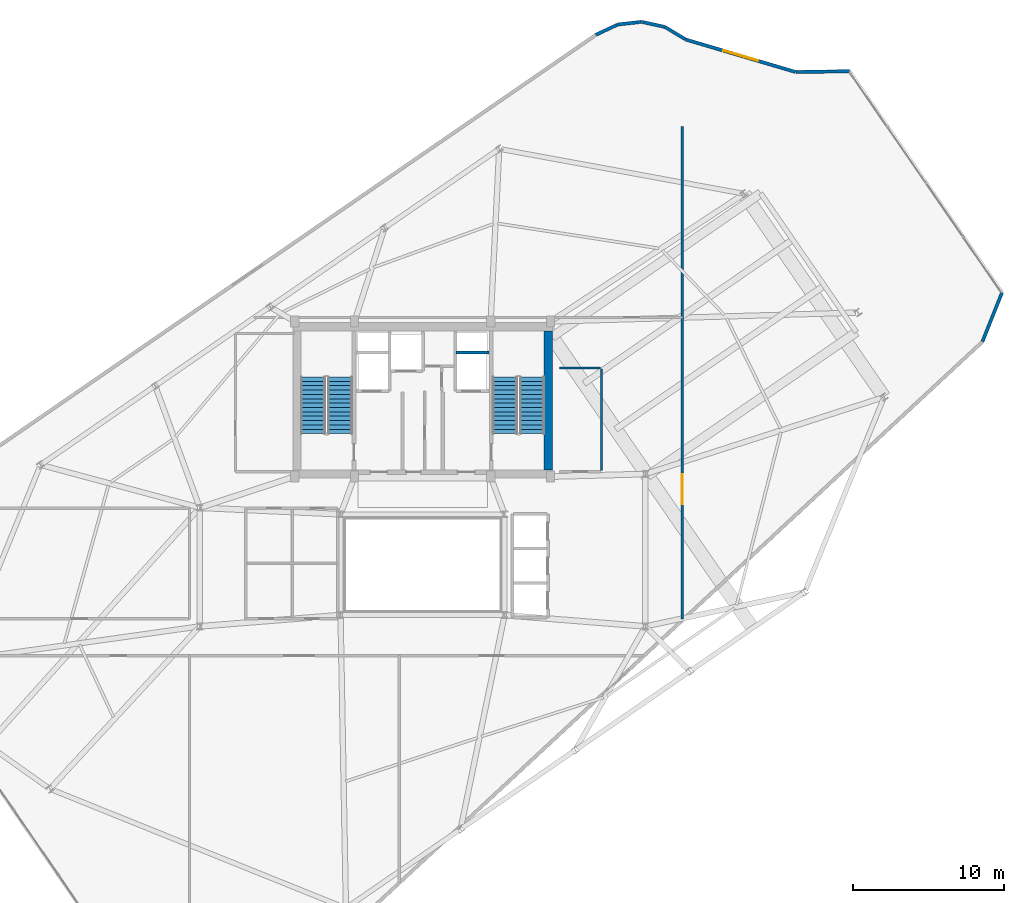
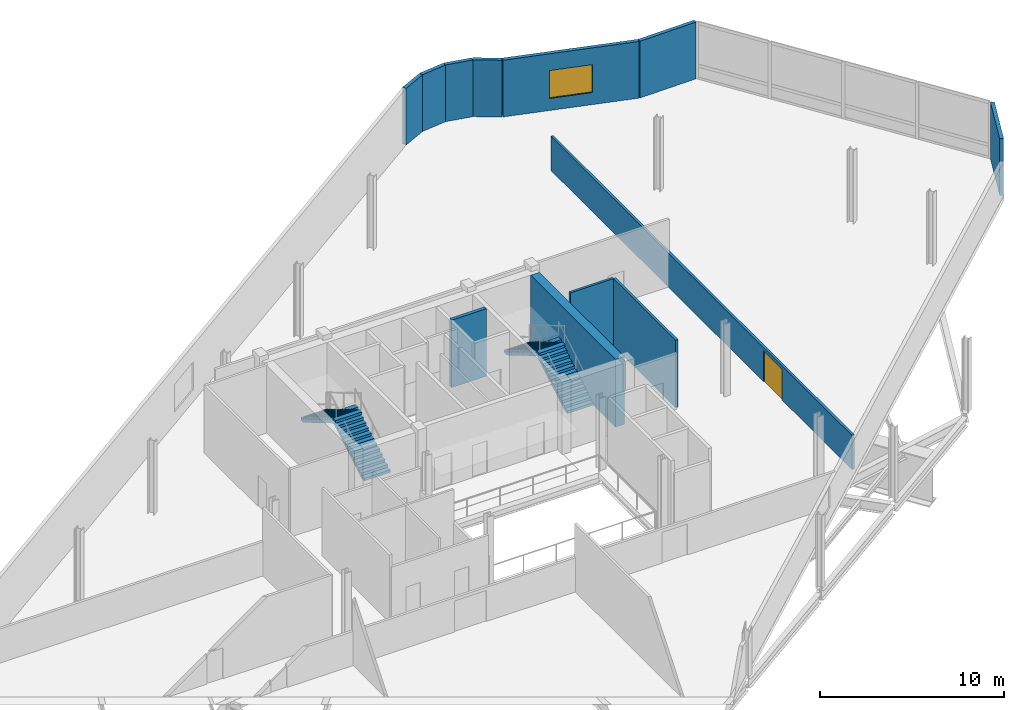
# One storey, part 14 of 15: 12 walls, 4 stair flights, 1 door, 1 window, 2 openings, 2 elements without a shape of their own.
"""IFC4 building model written with IfcOpenShell, lengths in metres."""

import ifcopenshell
import ifcopenshell.guid

model = None  # the IFC model being written
_history = None  # IfcOwnerHistory: only IFC2X3 demands one
_inside = {}  # id of a spatial element -> (the spatial element, [elements in it])
_under = {}  # id of a project, library or spatial element -> (it, [spatial elements below it])
_declared = {}  # id of a project -> (the project, [libraries it declares])
_typed = {}  # id of a type object -> (the type object, [elements of that type])
_made_of = {}  # id of a material, layer set ... -> (it, [elements and type objects made of it])


def new_model(schema):
    """Start an empty IFC model of exactly this schema.

    Asked for "IFC4X3", IfcOpenShell would pick the latest addendum, in which some entities
    have other attributes; the version numbers below select the first issue.
    IFC2X3 requires an IfcOwnerHistory on every rooted entity: one is made here for all.
    """
    global model, _history
    if schema == "IFC4X3":
        model = ifcopenshell.file(schema_version=(4, 3, 0, 0))
    else:
        model = ifcopenshell.file(schema=schema)
    _inside.clear()
    _under.clear()
    _declared.clear()
    _typed.clear()
    _made_of.clear()
    _history = None
    if model.schema == "IFC2X3":
        org = make("IfcOrganization", Name="unknown")
        user = make(
            "IfcPersonAndOrganization",
            ThePerson=make("IfcPerson", FamilyName="unknown"),
            TheOrganization=org,
        )
        app = make(
            "IfcApplication",
            ApplicationDeveloper=org,
            Version="unknown",
            ApplicationFullName="unknown",
            ApplicationIdentifier="unknown",
        )
        _history = make(
            "IfcOwnerHistory",
            OwningUser=user,
            OwningApplication=app,
            ChangeAction="ADDED",
            CreationDate=0,
        )
    return model


def make(cls, **values):
    """One entity of the class cls with the attributes given. An attribute that is None is left unset."""
    return model.create_entity(
        cls, **{name: value for name, value in values.items() if value is not None}
    )


def rooted(cls, **values):
    """An entity with a GlobalId (a new one), such as an element, a storey or a relation."""
    return make(cls, GlobalId=ifcopenshell.guid.new(), OwnerHistory=_history, **values)


def si_unit(unit_type, name, prefix=None):
    """IfcSIUnit, for example si_unit("LENGTHUNIT", "METRE", prefix="MILLI")."""
    return make("IfcSIUnit", UnitType=unit_type, Prefix=prefix, Name=name)


def assignment(units):
    """IfcUnitAssignment: the units of a project."""
    return None if units is None else make("IfcUnitAssignment", Units=units)


def point(xyz):
    """IfcCartesianPoint."""
    return None if xyz is None else make("IfcCartesianPoint", Coordinates=xyz)


def direction(xyz):
    """IfcDirection."""
    return None if xyz is None else make("IfcDirection", DirectionRatios=xyz)


def frame(location, z_axis=None, x_axis=None):
    """IfcAxis2Placement3D, a coordinate frame: its origin and axes. An axis left out is left unset."""
    return make(
        "IfcAxis2Placement3D",
        Location=point(location),
        Axis=direction(z_axis),
        RefDirection=direction(x_axis),
    )


def frame_2d(location, x_axis=None):
    """IfcAxis2Placement2D, a coordinate frame in the plane: its origin and x axis."""
    return make(
        "IfcAxis2Placement2D", Location=point(location), RefDirection=direction(x_axis)
    )


def origin():
    """The frame at (0, 0, 0) with its axes left unset."""
    return frame((0.0, 0.0, 0.0))


def place(relative_to, where):
    """IfcLocalPlacement: puts the frame where relative to a parent placement (None: the world)."""
    return make(
        "IfcLocalPlacement", PlacementRelTo=relative_to, RelativePlacement=where
    )


def context(
    kind, dimensions, precision=None, world=None, true_north=None, identifier=None
):
    """IfcGeometricRepresentationContext, for example the 3D "Model" context."""
    return make(
        "IfcGeometricRepresentationContext",
        ContextIdentifier=identifier,
        ContextType=kind,
        CoordinateSpaceDimension=dimensions,
        Precision=precision,
        WorldCoordinateSystem=world,
        TrueNorth=true_north,
    )


def subcontext(parent, identifier, kind, view, scale=None):
    """IfcGeometricRepresentationSubContext, for example "Body" below "Model"."""
    return make(
        "IfcGeometricRepresentationSubContext",
        ContextIdentifier=identifier,
        ContextType=kind,
        ParentContext=parent,
        TargetScale=scale,
        TargetView=view,
    )


def project(units=None, contexts=None):
    """IfcProject with its units and contexts."""
    return rooted(
        "IfcProject",
        Name="project",
        RepresentationContexts=contexts,
        UnitsInContext=assignment(units),
    )


def spatial(cls, under=None, at=None, **own):
    """A site, building, storey or space (cls), placed at a placement, below another one or the project."""
    s = rooted(cls, ObjectPlacement=at, **own)
    if under is not None:
        _under.setdefault(under.id(), (under, []))[1].append(s)
    return s


def polyline(points):
    """IfcPolyline through the points."""
    return make("IfcPolyline", Points=[point(p) for p in points])


def profile(cls, at=None, kind="AREA", **sizes):
    """A parametric profile (cls). Its sizes go by their IFC names, for example OverallWidth=200.0."""
    return make(cls, ProfileType=kind, Position=at, **sizes)


def rectangle(**sizes):
    """IfcRectangleProfileDef."""
    return profile("IfcRectangleProfileDef", **sizes)


def outline(outer, holes=None, kind="AREA"):
    """IfcArbitraryClosedProfileDef: a profile drawn as a closed curve; with holes, ...WithVoids."""
    if holes is None:
        return make("IfcArbitraryClosedProfileDef", ProfileType=kind, OuterCurve=outer)
    return make(
        "IfcArbitraryProfileDefWithVoids",
        ProfileType=kind,
        OuterCurve=outer,
        InnerCurves=holes,
    )


def extrude(swept, where, along, depth):
    """IfcExtrudedAreaSolid: the profile swept, set in the frame where, extruded along a direction by depth."""
    return make(
        "IfcExtrudedAreaSolid",
        SweptArea=swept,
        Position=where,
        ExtrudedDirection=direction(along),
        Depth=depth,
    )


def shape(context_of_items, identifier, shape_type, items):
    """IfcShapeRepresentation: the items that make up one representation, for example the "Body"."""
    return make(
        "IfcShapeRepresentation",
        ContextOfItems=context_of_items,
        RepresentationIdentifier=identifier,
        RepresentationType=shape_type,
        Items=items,
    )


def material(Name=None, Category=None):
    """IfcMaterial."""
    return make("IfcMaterial", Name=Name, Category=Category)


def layer(
    of_material, thickness, ventilated=None, Name=None, Category=None, Priority=None
):
    """IfcMaterialLayer: one layer of a wall or slab, of a material (None: an air gap)."""
    return make(
        "IfcMaterialLayer",
        Material=of_material,
        LayerThickness=thickness,
        IsVentilated=ventilated,
        Name=Name,
        Category=Category,
        Priority=Priority,
    )


def layer_set(layers, Name=None):
    """IfcMaterialLayerSet."""
    return make("IfcMaterialLayerSet", MaterialLayers=layers, LayerSetName=Name)


def made_of(thing, what):
    """Note that an element or type object is made of a material, layer set ...; save() writes the relation."""
    if what is not None:
        _made_of.setdefault(what.id(), (what, []))[1].append(thing)
    return thing


def type_object(cls, material=None, **own):
    """A type object (cls), such as IfcWallType, which elements share."""
    return made_of(rooted(cls, **own), material)


def element(
    cls,
    number,
    at=None,
    inside=None,
    cuts=None,
    type_object=None,
    material=None,
    context=None,
    identifier="Body",
    shape_type=None,
    held_by="IfcProductDefinitionShape",
    body=None,
    shapes=None,
    **own,
):
    """One element of the class cls, such as IfcWall. Its Tag is "e" and its number.

    at: its placement. inside: the storey or other place that contains it. cuts: it is an
    opening in that element (IfcRelVoidsElement). A single representation is given by context,
    identifier, shape_type and body (its items); several are given by shapes. held_by: the class
    of the entity that holds the representations. save() writes the other relations.
    """
    e = rooted(cls, Tag="e%d" % number, ObjectPlacement=at, **own)
    if body is not None:
        shapes = [shape(context, identifier, shape_type, body)]
    if shapes is not None:
        e.Representation = make(held_by, Representations=shapes)
    if inside is not None:
        _inside.setdefault(inside.id(), (inside, []))[1].append(e)
    if cuts is not None:
        rooted(
            "IfcRelVoidsElement", RelatingBuildingElement=cuts, RelatedOpeningElement=e
        )
    if type_object is not None:
        _typed.setdefault(type_object.id(), (type_object, []))[1].append(e)
    return made_of(e, material)


def fill(opening, filler):
    """IfcRelFillsElement: the door or window that sits in an opening."""
    return rooted(
        "IfcRelFillsElement",
        RelatingOpeningElement=opening,
        RelatedBuildingElement=filler,
    )


def aggregate(whole, parts):
    """IfcRelAggregates: a whole, such as a stair, and the parts it consists of."""
    return rooted("IfcRelAggregates", RelatingObject=whole, RelatedObjects=parts)


def save(model, path):
    """Write the relations noted so far, then the file.

    IfcRelAggregates (storeys below a building ...), IfcRelContainedInSpatialStructure (elements
    in a storey), IfcRelDefinesByType, IfcRelAssociatesMaterial and IfcRelDeclares: one each for
    every whole, place, type object, material and project.
    """
    for whole, parts in _under.values():
        aggregate(whole, parts)
    for where, things in _inside.values():
        rooted(
            "IfcRelContainedInSpatialStructure",
            RelatedElements=things,
            RelatingStructure=where,
        )
    for kind, things in _typed.values():
        rooted("IfcRelDefinesByType", RelatedObjects=things, RelatingType=kind)
    for what, things in _made_of.values():
        rooted("IfcRelAssociatesMaterial", RelatedObjects=things, RelatingMaterial=what)
    for by, libraries in _declared.values():
        rooted("IfcRelDeclares", RelatingContext=by, RelatedDefinitions=libraries)
    model.write(path)


model = new_model("IFC4")

# Units and contexts
model_context = context("Model", 3, precision=1e-05, world=origin(), true_north=direction((0.0, 1.0)))
body_context = subcontext(model_context, "Body", "Model", "MODEL_VIEW")
ifc_project = project(units=[si_unit("LENGTHUNIT", "METRE"), si_unit("AREAUNIT", "SQUARE_METRE"), si_unit("VOLUMEUNIT", "CUBIC_METRE"), si_unit("PLANEANGLEUNIT", "RADIAN"), si_unit("MASSUNIT", "GRAM", prefix="KILO")], contexts=[model_context])

# Site, building, storey
site_placement = place(None, origin())
site = spatial("IfcSite", under=ifc_project, at=site_placement, CompositionType="ELEMENT")
building_placement = place(site_placement, origin())
building = spatial("IfcBuilding", under=site, at=building_placement, Name="Varnelok Gate Tower", CompositionType="ELEMENT")
storey_placement = place(building_placement, frame((0.0, 0.0, 291.5)))
storey = spatial("IfcBuildingStorey", under=building, at=storey_placement, Name="L75", CompositionType="ELEMENT", Elevation=291.5)

# Walls
ifc_material_1 = material(Name="Concrete C45/55", Category="concrete")
ifc_layer_1 = layer(ifc_material_1, 0.219970703125)
ifc_layer_set_1 = layer_set([ifc_layer_1], Name="Concrete C45/55")
wall_type_1 = type_object("IfcWallType", Name="EW-BALC-220", PredefinedType="SOLIDWALL", material=ifc_layer_set_1)
wall_1_placement = place(storey_placement, frame((76.39501953125, 37.719970703125, 0.0), z_axis=(0.0, 0.0, 1.0), x_axis=(0.370546091486, 0.928814079396, 0.0)))
element("IfcWall", 1, at=wall_1_placement, inside=storey, type_object=wall_type_1, Name="L75 Perimeter Facade Closure Wall 8", PredefinedType="SOLIDWALL", context=body_context, shape_type="SweptSolid", body=[
    extrude(rectangle(XDim=3.4892578125, YDim=0.219970703125, at=frame_2d((1.74462890625, 0.0))), origin(), (0.0, 0.0, 1.0), 3.760009765625),
])
wall_2_placement = place(storey_placement, frame((67.550048828125, 55.6787109375, 0.0), z_axis=(0.0, 0.0, 1.0), x_axis=(-0.999884083579, -0.015225616747, 0.0)))
element("IfcWall", 2, at=wall_2_placement, inside=storey, type_object=wall_type_1, Name="L75 Perimeter Facade Closure Wall 9", PredefinedType="SOLIDWALL", context=body_context, shape_type="SweptSolid", body=[
    extrude(rectangle(XDim=3.559814453125, YDim=0.219970703125, at=frame_2d((1.77978515625, 0.0))), origin(), (0.0, 0.0, 1.0), 3.760009765625),
])

# Wall, opening, window
wall_3_placement = place(storey_placement, frame((63.966796875, 55.631591796875, 0.0), z_axis=(0.0, 0.0, 1.0), x_axis=(-0.959041736721, 0.283264800544, 0.0)))
wall_3 = element("IfcWall", 3, at=wall_3_placement, inside=storey, type_object=wall_type_1, Name="L75 Perimeter Facade Closure Wall 10", PredefinedType="SOLIDWALL", context=body_context, shape_type="SweptSolid", body=[
    extrude(rectangle(XDim=7.591552734375, YDim=0.219970703125, at=frame_2d((3.7958984375, 0.0))), origin(), (0.0, 0.0, 1.0), 3.760009765625),
])
opening_1_placement = place(wall_3_placement, frame((2.595703125, 0.0, 0.800048828125)))
opening_1 = element("IfcOpeningElement", 4, at=opening_1_placement, cuts=wall_3, Name="Opening WN6", PredefinedType="OPENING", context=body_context, shape_type="SweptSolid", body=[
    extrude(rectangle(XDim=2.39990234375, YDim=1.85009765625, at=frame_2d((1.199951171875, 0.925048828125))), frame((0.0, 0.119873046875, 0.0), z_axis=(0.0, -1.0, 0.0), x_axis=(1.0, 0.0, 0.0)), (0.0, 0.0, 1.0), 0.239990234375),
])
ifc_material_2 = material(Name="Low-E Laminated Double Glazing IGU", Category="glass")
window_type = type_object("IfcWindowType", Name="WN-PEN-2400", PartitioningType="SINGLE_PANEL", PredefinedType="WINDOW", material=ifc_material_2)
window_placement = place(opening_1_placement, origin())
window = element("IfcWindow", 5, at=window_placement, inside=storey, type_object=window_type, Name="L75 Perimeter Vision Window 10", OverallHeight=1.85009765625, OverallWidth=2.39990234375, PartitioningType="SINGLE_PANEL", PredefinedType="WINDOW", context=body_context, shape_type="SweptSolid", body=[
    extrude(rectangle(XDim=2.39990234375, YDim=1.85009765625, at=frame_2d((1.199951171875, 0.925048828125))), frame((0.0, 0.030029296875, 0.0), z_axis=(0.0, -1.0, 0.0), x_axis=(1.0, 0.0, 0.0)), (0.0, 0.0, 1.0), 0.06005859375),
])
fill(opening_1, window)

# Walls
wall_4_placement = place(storey_placement, frame((56.664794921875, 57.794921875, 0.0), z_axis=(0.0, 0.0, 1.0), x_axis=(-0.856562276783, 0.51604366675, 0.0)))
element("IfcWall", 6, at=wall_4_placement, inside=storey, type_object=wall_type_1, Name="L75 Perimeter Facade Closure Wall 11", PredefinedType="SOLIDWALL", context=body_context, shape_type="SweptSolid", body=[
    extrude(rectangle(XDim=1.599609375, YDim=0.219970703125, at=frame_2d((0.7998046875, 0.0))), origin(), (0.0, 0.0, 1.0), 3.760009765625),
])
wall_5_placement = place(storey_placement, frame((55.270263671875, 58.625732421875, 0.0), z_axis=(0.0, 0.0, 1.0), x_axis=(-0.977002755725, 0.213226675878, 0.0)))
element("IfcWall", 7, at=wall_5_placement, inside=storey, type_object=wall_type_1, Name="L75 Perimeter Facade Closure Wall 12", PredefinedType="SOLIDWALL", context=body_context, shape_type="SweptSolid", body=[
    extrude(rectangle(XDim=1.56396484375, YDim=0.219970703125, at=frame_2d((0.781982421875, 0.0))), origin(), (0.0, 0.0, 1.0), 3.760009765625),
])
wall_6_placement = place(storey_placement, frame((53.71728515625, 58.95654296875, 0.0), z_axis=(0.0, 0.0, 1.0), x_axis=(-0.993703548269, -0.112041323439, 0.0)))
element("IfcWall", 8, at=wall_6_placement, inside=storey, type_object=wall_type_1, Name="L75 Perimeter Facade Closure Wall 13", PredefinedType="SOLIDWALL", context=body_context, shape_type="SweptSolid", body=[
    extrude(rectangle(XDim=1.564453125, YDim=0.219970703125, at=frame_2d((0.7822265625, 0.0))), origin(), (0.0, 0.0, 1.0), 3.760009765625),
])
wall_7_placement = place(storey_placement, frame((52.14013671875, 58.7705078125, 0.0), z_axis=(0.0, 0.0, 1.0), x_axis=(-0.904931141475, -0.425558020944, 0.0)))
element("IfcWall", 9, at=wall_7_placement, inside=storey, type_object=wall_type_1, Name="L75 Perimeter Facade Closure Wall 14", PredefinedType="SOLIDWALL", context=body_context, shape_type="SweptSolid", body=[
    extrude(rectangle(XDim=1.57421875, YDim=0.219970703125, at=frame_2d((0.787109375, 0.0))), origin(), (0.0, 0.0, 1.0), 3.760009765625),
])

# Wall, opening, door
ifc_material_3 = material(Name="Gypsum Plasterboard Acoustic Partition", Category="gypsum")
ifc_layer_2 = layer(ifc_material_3, 0.14990234375)
ifc_layer_set_2 = layer_set([ifc_layer_2], Name="Gypsum Plasterboard Acoustic Partition")
wall_type_2 = type_object("IfcWallType", Name="PW-PART-150", PredefinedType="PARTITIONING", material=ifc_layer_set_2)
wall_8_placement = place(storey_placement, frame((56.449951171875, 19.300048828125, 0.0), z_axis=(0.0, 0.0, 1.0), x_axis=(0.0, 1.0, 0.0)))
wall_8 = element("IfcWall", 10, at=wall_8_placement, inside=storey, type_object=wall_type_2, Name="Interior Partition", PredefinedType="PARTITIONING", context=body_context, shape_type="SweptSolid", body=[
    extrude(rectangle(XDim=32.699951171875, YDim=0.14990234375, at=frame_2d((16.35009765625, 0.0))), origin(), (0.0, 0.0, 1.0), 2.264892578125),
])
opening_2_placement = place(wall_8_placement, frame((7.60009765625, 0.0, 0.0)))
opening_2 = element("IfcOpeningElement", 11, at=opening_2_placement, cuts=wall_8, Name="Opening D-BL", PredefinedType="OPENING", context=body_context, shape_type="SweptSolid", body=[
    extrude(rectangle(XDim=2.0, YDim=2.050048828125, at=frame_2d((1.0, 1.02490234375))), frame((0.0, 0.0849609375, 0.0), z_axis=(0.0, -1.0, 0.0), x_axis=(1.0, 0.0, 0.0)), (0.0, 0.0, 1.0), 0.169921875),
])
ifc_material_4 = material(Name="Engineered Hardwood Timber", Category="wood")
door_type = type_object("IfcDoorType", Name="DR-BALL-2000", OperationType="DOUBLE_DOOR_SINGLE_SWING", PredefinedType="DOOR", material=ifc_material_4)
door_placement = place(opening_2_placement, origin())
door = element("IfcDoor", 12, at=door_placement, inside=storey, type_object=door_type, Name="L75 Cantilevered Sky Lounge Portal", OperationType="DOUBLE_DOOR_SINGLE_SWING", OverallHeight=2.050048828125, OverallWidth=2.0, PredefinedType="DOOR", context=body_context, shape_type="SweptSolid", body=[
    extrude(rectangle(XDim=2.0, YDim=2.050048828125, at=frame_2d((1.0, 1.02490234375))), frame((0.0, 0.02490234375, 0.0), z_axis=(0.0, -1.0, 0.0), x_axis=(1.0, 0.0, 0.0)), (0.0, 0.0, 1.0), 0.050048828125),
])
fill(opening_2, door)

# Walls
wall_9_placement = place(storey_placement, frame((48.300048828125, 35.9599609375, 0.0), z_axis=(0.0, 0.0, 1.0), x_axis=(1.0, 0.0, 0.0)))
element("IfcWall", 13, at=wall_9_placement, inside=storey, type_object=wall_type_2, Name="Interior Partition", PredefinedType="PARTITIONING", context=body_context, shape_type="SweptSolid", body=[
    extrude(rectangle(XDim=2.719970703125, YDim=0.14990234375, at=frame_2d((1.35986328125, 0.0))), origin(), (0.0, 0.0, 1.0), 4.47998046875),
])
wall_10_placement = place(storey_placement, frame((51.080078125, 29.139892578125, 0.0), z_axis=(0.0, 0.0, 1.0), x_axis=(0.0, 1.0, 0.0)))
element("IfcWall", 14, at=wall_10_placement, inside=storey, type_object=wall_type_2, Name="Interior Partition", PredefinedType="PARTITIONING", context=body_context, shape_type="SweptSolid", body=[
    extrude(rectangle(XDim=6.760009765625, YDim=0.14990234375, at=frame_2d((3.3798828125, 0.0))), origin(), (0.0, 0.0, 1.0), 4.47998046875),
])
ifc_material_5 = material(Name="Concrete C35/45", Category="concrete")
ifc_layer_3 = layer(ifc_material_5, 0.199951171875)
ifc_layer_set_3 = layer_set([ifc_layer_3], Name="Concrete C35/45")
wall_type_3 = type_object("IfcWallType", Name="PW-SHAFT-200", PredefinedType="PARTITIONING", material=ifc_layer_set_3)
wall_11_placement = place(storey_placement, frame((41.419921875, 36.97998046875, 0.0), z_axis=(0.0, 0.0, 1.0), x_axis=(1.0, 0.0, 0.0)))
element("IfcWall", 15, at=wall_11_placement, inside=storey, type_object=wall_type_3, Name="L75 FF2 Shaft North Wall", PredefinedType="PARTITIONING", context=body_context, shape_type="SweptSolid", body=[
    extrude(rectangle(XDim=2.18017578125, YDim=0.199951171875, at=frame_2d((1.090087890625, 0.0))), origin(), (0.0, 0.0, 1.0), 4.47998046875),
])
ifc_material_6 = material(Name="Concrete C60/75", Category="concrete")
ifc_layer_4 = layer(ifc_material_6, 0.550048828125)
ifc_layer_set_4 = layer_set([ifc_layer_4], Name="Concrete C60/75")
wall_type_4 = type_object("IfcWallType", Name="SW-CORE-550", PredefinedType="SHEAR", material=ifc_layer_set_4)
wall_12_placement = place(storey_placement, frame((47.544921875, 29.199951171875, 0.0), z_axis=(0.0, 0.0, 1.0), x_axis=(0.0, 1.0, 0.0)))
element("IfcWall", 16, at=wall_12_placement, inside=storey, type_object=wall_type_4, Name="L75 Rear Core East Shear Wall", PredefinedType="SHEAR", context=body_context, shape_type="SweptSolid", body=[
    extrude(rectangle(XDim=9.219970703125, YDim=0.550048828125, at=frame_2d((4.60986328125, 0.0))), origin(), (0.0, 0.0, 1.0), 4.47998046875),
])

# Stair, stair flights
ifc_material_7 = material(Name="Concrete C50/60", Category="concrete")
stair_type = type_object("IfcStairType", Name="STR-CORE-1650", PredefinedType="HALF_TURN_STAIR", material=ifc_material_7)
stair_1_placement = place(storey_placement, origin())
stair_1 = element("IfcStair", 17, at=stair_1_placement, inside=storey, type_object=stair_type, Name="L75 Exit Stair ST-1", PredefinedType="HALF_TURN_STAIR")
stair_flight_type = type_object("IfcStairFlightType", Name="SFL-CORE-1650", PredefinedType="STRAIGHT", material=ifc_material_7)
stair_flight_1_placement = place(storey_placement, frame((33.72509765625, 31.60009765625, 0.0), z_axis=(0.0, 0.0, 1.0), x_axis=(0.0, 1.0, 0.0)))
stair_flight_1 = element("IfcStairFlight", 18, at=stair_flight_1_placement, type_object=stair_flight_type, Name="ST-1 flight 1", NumberOfRisers=14, NumberOfTreads=13, PredefinedType="STRAIGHT", RiserHeight=0.171428571, TreadLength=0.29, context=body_context, shape_type="SweptSolid", body=[
    extrude(outline(polyline([(0.0, 0.0), (0.0, 0.17138671875), (0.2900390625, 0.17138671875), (0.2900390625, 0.3427734375), (0.580078125, 0.3427734375), (0.580078125, 0.514404296875), (0.8701171875, 0.514404296875), (0.8701171875, 0.685791015625), (1.159912109375, 0.685791015625), (1.159912109375, 0.857177734375), (1.449951171875, 0.857177734375), (1.449951171875, 1.028564453125), (1.739990234375, 1.028564453125), (1.739990234375, 1.199951171875), (2.030029296875, 1.199951171875), (2.030029296875, 1.371337890625), (2.320068359375, 1.371337890625), (2.320068359375, 1.54296875), (2.610107421875, 1.54296875), (2.610107421875, 1.71435546875), (2.89990234375, 1.71435546875), (2.89990234375, 1.8857421875), (3.18994140625, 1.8857421875), (3.18994140625, 2.05712890625), (3.47998046875, 2.05712890625), (3.47998046875, 2.228515625), (3.77001953125, 2.228515625), (3.77001953125, 2.39990234375), (3.77001953125, 2.054443359375), (0.294677734375, 0.0), (0.0, 0.0)])), frame((0.0, 0.824951171875, 0.0), z_axis=(0.0, -1.0, 0.0), x_axis=(1.0, 0.0, 0.0)), (0.0, 0.0, 1.0), 1.64990234375),
])
stair_flight_2_placement = place(storey_placement, frame((31.925048828125, 35.3701171875, 2.39990234375), z_axis=(0.0, 0.0, 1.0), x_axis=(0.0, -1.0, 0.0)))
stair_flight_2 = element("IfcStairFlight", 19, at=stair_flight_2_placement, type_object=stair_flight_type, Name="ST-1 flight 2", NumberOfRisers=14, NumberOfTreads=13, PredefinedType="STRAIGHT", RiserHeight=0.171428571, TreadLength=0.29, context=body_context, shape_type="SweptSolid", body=[
    extrude(outline(polyline([(0.0, 0.0), (0.0, 0.17138671875), (0.2900390625, 0.17138671875), (0.2900390625, 0.3427734375), (0.580078125, 0.3427734375), (0.580078125, 0.514404296875), (0.8701171875, 0.514404296875), (0.8701171875, 0.685791015625), (1.159912109375, 0.685791015625), (1.159912109375, 0.857177734375), (1.449951171875, 0.857177734375), (1.449951171875, 1.028564453125), (1.739990234375, 1.028564453125), (1.739990234375, 1.199951171875), (2.030029296875, 1.199951171875), (2.030029296875, 1.371337890625), (2.320068359375, 1.371337890625), (2.320068359375, 1.54296875), (2.610107421875, 1.54296875), (2.610107421875, 1.71435546875), (2.89990234375, 1.71435546875), (2.89990234375, 1.8857421875), (3.18994140625, 1.8857421875), (3.18994140625, 2.05712890625), (3.47998046875, 2.05712890625), (3.47998046875, 2.228515625), (3.77001953125, 2.228515625), (3.77001953125, 2.39990234375), (3.77001953125, 2.054443359375), (0.294677734375, 0.0), (0.0, 0.0)])), frame((0.0, 0.824951171875, 0.0), z_axis=(0.0, -1.0, 0.0), x_axis=(1.0, 0.0, 0.0)), (0.0, 0.0, 1.0), 1.64990234375),
])
aggregate(stair_1, [stair_flight_1, stair_flight_2])

stair_2_placement = place(storey_placement, origin())
stair_2 = element("IfcStair", 20, at=stair_2_placement, inside=storey, type_object=stair_type, Name="L75 Exit Stair ST-2", PredefinedType="HALF_TURN_STAIR")
stair_flight_3_placement = place(storey_placement, frame((46.47509765625, 31.60009765625, 0.0), z_axis=(0.0, 0.0, 1.0), x_axis=(0.0, 1.0, 0.0)))
stair_flight_3 = element("IfcStairFlight", 21, at=stair_flight_3_placement, type_object=stair_flight_type, Name="ST-2 flight 1", NumberOfRisers=14, NumberOfTreads=13, PredefinedType="STRAIGHT", RiserHeight=0.171428571, TreadLength=0.29, context=body_context, shape_type="SweptSolid", body=[
    extrude(outline(polyline([(0.0, 0.0), (0.0, 0.17138671875), (0.2900390625, 0.17138671875), (0.2900390625, 0.3427734375), (0.580078125, 0.3427734375), (0.580078125, 0.514404296875), (0.8701171875, 0.514404296875), (0.8701171875, 0.685791015625), (1.159912109375, 0.685791015625), (1.159912109375, 0.857177734375), (1.449951171875, 0.857177734375), (1.449951171875, 1.028564453125), (1.739990234375, 1.028564453125), (1.739990234375, 1.199951171875), (2.030029296875, 1.199951171875), (2.030029296875, 1.371337890625), (2.320068359375, 1.371337890625), (2.320068359375, 1.54296875), (2.610107421875, 1.54296875), (2.610107421875, 1.71435546875), (2.89990234375, 1.71435546875), (2.89990234375, 1.8857421875), (3.18994140625, 1.8857421875), (3.18994140625, 2.05712890625), (3.47998046875, 2.05712890625), (3.47998046875, 2.228515625), (3.77001953125, 2.228515625), (3.77001953125, 2.39990234375), (3.77001953125, 2.054443359375), (0.294677734375, 0.0), (0.0, 0.0)])), frame((0.0, 0.824951171875, 0.0), z_axis=(0.0, -1.0, 0.0), x_axis=(1.0, 0.0, 0.0)), (0.0, 0.0, 1.0), 1.64990234375),
])
stair_flight_4_placement = place(storey_placement, frame((44.675048828125, 35.3701171875, 2.39990234375), z_axis=(0.0, 0.0, 1.0), x_axis=(0.0, -1.0, 0.0)))
stair_flight_4 = element("IfcStairFlight", 22, at=stair_flight_4_placement, type_object=stair_flight_type, Name="ST-2 flight 2", NumberOfRisers=14, NumberOfTreads=13, PredefinedType="STRAIGHT", RiserHeight=0.171428571, TreadLength=0.29, context=body_context, shape_type="SweptSolid", body=[
    extrude(outline(polyline([(0.0, 0.0), (0.0, 0.17138671875), (0.2900390625, 0.17138671875), (0.2900390625, 0.3427734375), (0.580078125, 0.3427734375), (0.580078125, 0.514404296875), (0.8701171875, 0.514404296875), (0.8701171875, 0.685791015625), (1.159912109375, 0.685791015625), (1.159912109375, 0.857177734375), (1.449951171875, 0.857177734375), (1.449951171875, 1.028564453125), (1.739990234375, 1.028564453125), (1.739990234375, 1.199951171875), (2.030029296875, 1.199951171875), (2.030029296875, 1.371337890625), (2.320068359375, 1.371337890625), (2.320068359375, 1.54296875), (2.610107421875, 1.54296875), (2.610107421875, 1.71435546875), (2.89990234375, 1.71435546875), (2.89990234375, 1.8857421875), (3.18994140625, 1.8857421875), (3.18994140625, 2.05712890625), (3.47998046875, 2.05712890625), (3.47998046875, 2.228515625), (3.77001953125, 2.228515625), (3.77001953125, 2.39990234375), (3.77001953125, 2.054443359375), (0.294677734375, 0.0), (0.0, 0.0)])), frame((0.0, 0.824951171875, 0.0), z_axis=(0.0, -1.0, 0.0), x_axis=(1.0, 0.0, 0.0)), (0.0, 0.0, 1.0), 1.64990234375),
])
aggregate(stair_2, [stair_flight_3, stair_flight_4])

save(model, "model.ifc")
